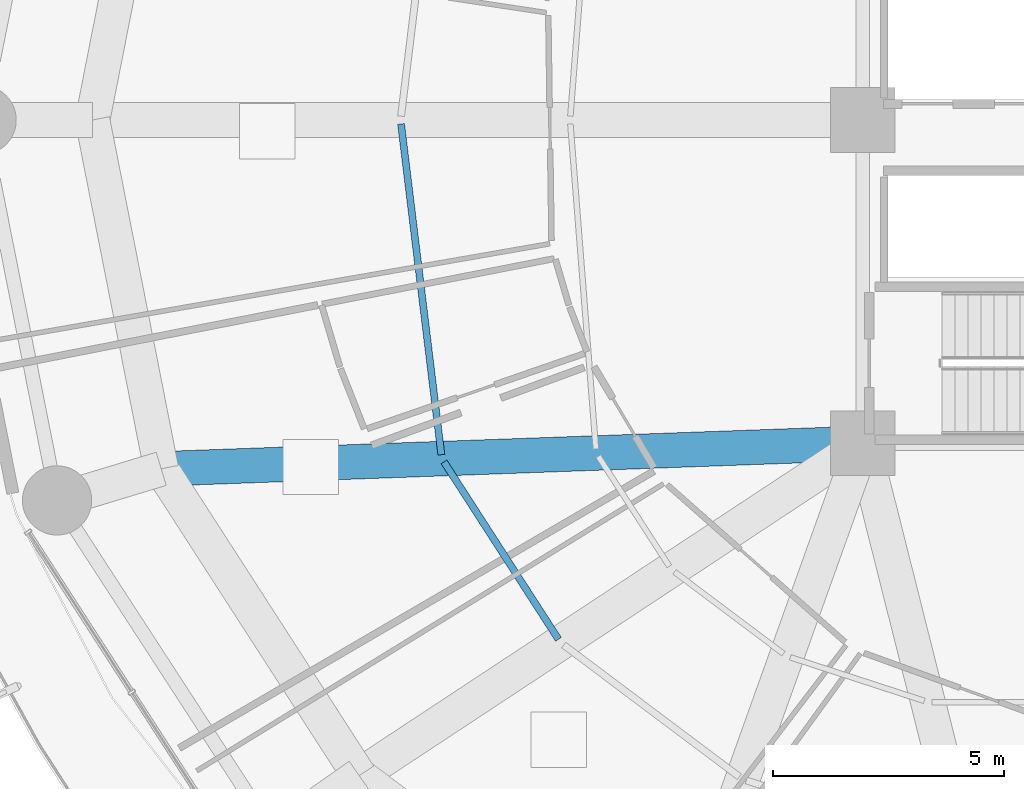
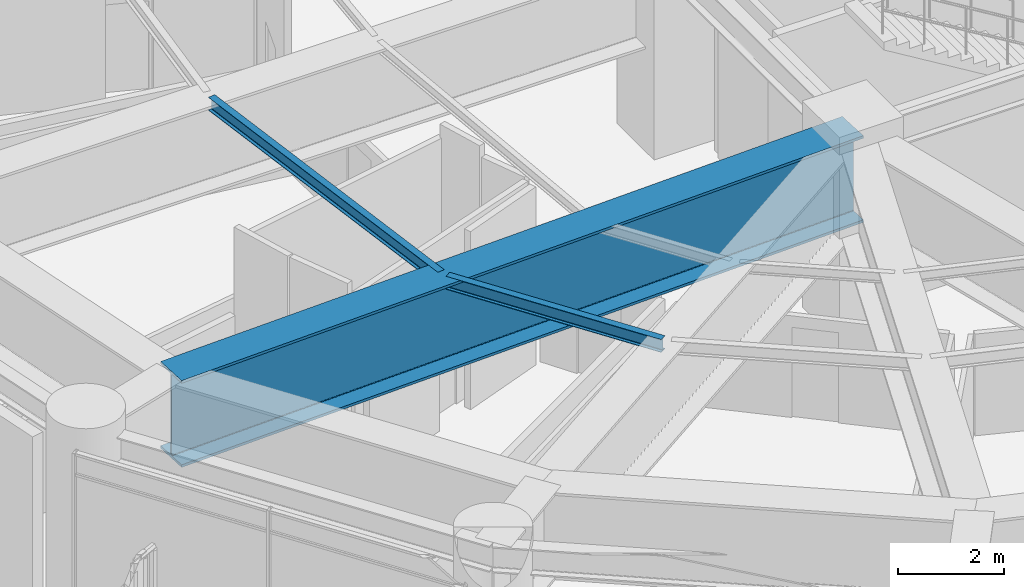
# One storey, part 5 of 31: 3 beams.
"""IFC4 building model written with IfcOpenShell, lengths in metres."""

from ifc_helpers import new_model, si_unit, direction, frame, origin, origin_2d, place, context, subcontext, project, spatial, i_section, extrude, material, material_profile, profile_set, type_object, element, save


model = new_model("IFC4")

# Units and contexts
model_context = context("Model", 3, precision=1e-05, world=origin(), true_north=direction((0.0, 1.0)))
body_context = subcontext(model_context, "Body", "Model", "MODEL_VIEW")
ifc_project = project(units=[si_unit("LENGTHUNIT", "METRE"), si_unit("AREAUNIT", "SQUARE_METRE"), si_unit("VOLUMEUNIT", "CUBIC_METRE"), si_unit("PLANEANGLEUNIT", "RADIAN"), si_unit("MASSUNIT", "GRAM", prefix="KILO")], contexts=[model_context])

# Site, building, storey
site_placement = place(None, origin())
site = spatial("IfcSite", under=ifc_project, at=site_placement, CompositionType="ELEMENT")
building_placement = place(site_placement, origin())
building = spatial("IfcBuilding", under=site, at=building_placement, Name="Kelanora Arch Commons", CompositionType="ELEMENT")
storey_placement = place(building_placement, frame((0.0, 0.0, 67.5)))
storey = spatial("IfcBuildingStorey", under=building, at=storey_placement, Name="L17", CompositionType="ELEMENT", Elevation=67.5)

# Beams
ifc_material = material(Name="Steel S355", Category="steel")
ifc_material_profile_1 = material_profile(ifc_material, i_section(OverallWidth=0.14990234375, OverallDepth=0.300048828125, WebThickness=0.007080078125, FlangeThickness=0.0107421875, FilletRadius=0.014892578125, at=origin_2d()), Name="IPE300")
ifc_profile_set_1 = profile_set([ifc_material_profile_1], Name="Steel S355")
beam_type_1 = type_object("IfcBeamType", Name="BM-JST-01", PredefinedType="JOIST", material=ifc_profile_set_1)
beam_1_placement = place(storey_placement, frame((56.002197265625, 57.91552734375, 4.2099609375), z_axis=(0.120935645266, -0.992660349618, 0.0), x_axis=(0.992660349618, 0.120935645266, 0.0)))
element("IfcBeam", 1, at=beam_1_placement, inside=storey, type_object=beam_type_1, Name="Secondary Chord Joist BJB-18 L17", PredefinedType="JOIST", context=body_context, shape_type="SweptSolid", body=[
    extrude(i_section(OverallWidth=0.14990234375, OverallDepth=0.300048828125, WebThickness=0.007080078125, FlangeThickness=0.0107421875, FilletRadius=0.014892578125, at=origin_2d()), origin(), (0.0, 0.0, 1.0), 7.215087890625),
])
beam_2_placement = place(storey_placement, frame((56.93115234375, 50.597412109375, 4.2099609375), z_axis=(0.542230243286, -0.840229946661, 0.0), x_axis=(0.840229946661, 0.542230243286, 0.0)))
element("IfcBeam", 2, at=beam_2_placement, inside=storey, type_object=beam_type_1, Name="Secondary Chord Joist BJB-20 L17", PredefinedType="JOIST", context=body_context, shape_type="SweptSolid", body=[
    extrude(i_section(OverallWidth=0.14990234375, OverallDepth=0.300048828125, WebThickness=0.007080078125, FlangeThickness=0.0107421875, FilletRadius=0.014892578125, at=origin_2d()), origin(), (0.0, 0.0, 1.0), 4.572265625),
])
ifc_material_profile_2 = material_profile(ifc_material, i_section(OverallWidth=0.75, OverallDepth=2.0, WebThickness=0.034912109375, FlangeThickness=0.06005859375, FilletRadius=0.028076171875, at=origin_2d()), Name="PG2000x750")
ifc_profile_set_2 = profile_set([ifc_material_profile_2], Name="Steel S355")
beam_type_2 = type_object("IfcBeamType", Name="BM-XFER-SET", PredefinedType="USERDEFINED", material=ifc_profile_set_2)
beam_3_placement = place(storey_placement, frame((66.0, 51.0, 3.360107421875), z_axis=(-0.999341087625, -0.036295875581, 0.0), x_axis=(0.036295875581, -0.999341087625, 0.0)))
element("IfcBeam", 3, at=beam_3_placement, inside=storey, type_object=beam_type_2, Name="Setback Radial Transfer Girder BRI-20 L17", ObjectType="TRANSFER_GIRDER", PredefinedType="USERDEFINED", context=body_context, shape_type="SweptSolid", body=[
    extrude(i_section(OverallWidth=0.75, OverallDepth=2.0, WebThickness=0.034912109375, FlangeThickness=0.06005859375, FilletRadius=0.028076171875, at=origin_2d()), origin(), (0.0, 0.0, 1.0), 15.20166015625),
])

save(model, "model.ifc")
